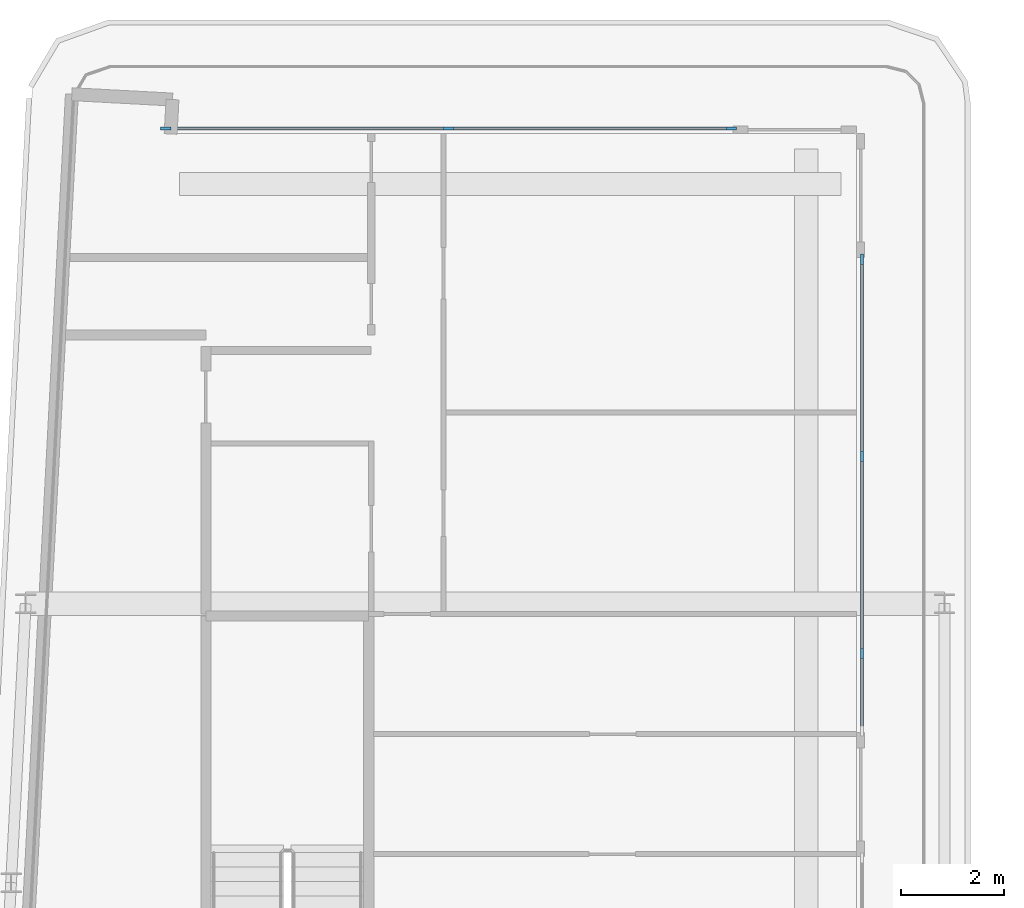
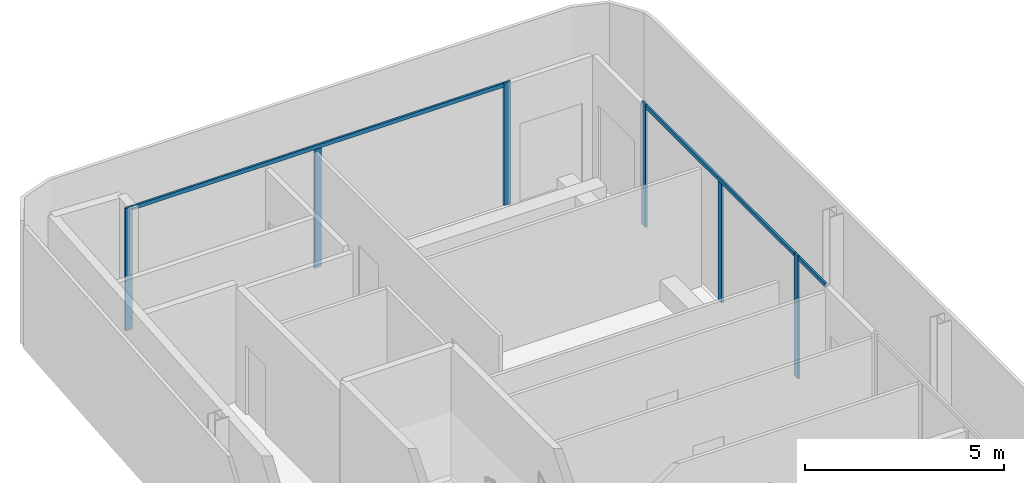
# One storey, part 8 of 21: 9 members, 3 elements without a shape of their own.
"""IFC4 building model written with IfcOpenShell, lengths in metres."""

from ifc_helpers import new_model, si_unit, direction, frame, origin, origin_2d, place, context, subcontext, project, spatial, rectangle, extrude, material, layer, layer_set, material_profile, profile_set, type_object, element, aggregate, save


model = new_model("IFC4")

# Units and contexts
model_context = context("Model", 3, precision=1e-05, world=origin(), true_north=direction((0.0, 1.0)))
body_context = subcontext(model_context, "Body", "Model", "MODEL_VIEW")
ifc_project = project(units=[si_unit("LENGTHUNIT", "METRE"), si_unit("AREAUNIT", "SQUARE_METRE"), si_unit("VOLUMEUNIT", "CUBIC_METRE"), si_unit("PLANEANGLEUNIT", "RADIAN"), si_unit("MASSUNIT", "GRAM", prefix="KILO")], contexts=[model_context])

# Site, building, storey
site_placement = place(None, origin())
site = spatial("IfcSite", under=ifc_project, at=site_placement, CompositionType="ELEMENT")
building_placement = place(site_placement, origin())
building = spatial("IfcBuilding", under=site, at=building_placement, Name="Kheshtan School and Residences Tower", CompositionType="ELEMENT")
storey_placement = place(building_placement, frame((0.0, 0.0, 302.0)))
storey = spatial("IfcBuildingStorey", under=building, at=storey_placement, Name="L71", CompositionType="ELEMENT", Elevation=302.0)

# Curtain wall, members
ifc_material_1 = material(Name="Clear low-e glass in thermally broken aluminium frame", Category="aluminium")
ifc_layer = layer(ifc_material_1, 0.199951171875)
ifc_layer_set = layer_set([ifc_layer], Name="Curtain wall CW-L")
curtain_wall_type = type_object("IfcCurtainWallType", Name="Curtain wall CW-L", PredefinedType="NOTDEFINED", material=ifc_layer_set)
curtain_wall_1_placement = place(storey_placement, origin())
curtain_wall_1 = element("IfcCurtainWall", 1, at=curtain_wall_1_placement, inside=storey, type_object=curtain_wall_type, Name="Curtain wall CWL7", PredefinedType="NOTDEFINED")
ifc_material_2 = material(Name="Thermally broken aluminium, dark bronze anodised", Category="aluminium")
ifc_material_profile_1 = material_profile(ifc_material_2, rectangle(XDim=0.06005859375, YDim=0.199951171875, at=origin_2d()), Name="CW-L mullion 60x200")
ifc_profile_set_1 = profile_set([ifc_material_profile_1], Name="Thermally broken aluminium, dark bronze anodised")
member_type_1 = type_object("IfcMemberType", Name="CW-L mullion 60x200", PredefinedType="MULLION", material=ifc_profile_set_1)
member_1_placement = place(storey_placement, frame((32.52197265625, 98.0, 0.0), z_axis=(0.0, 0.0, 1.0), x_axis=(0.0, 1.0, 0.0)))
member_1 = element("IfcMember", 2, at=member_1_placement, type_object=member_type_1, Name="CWL7 mullion 1", PredefinedType="MULLION", context=body_context, shape_type="SweptSolid", body=[
    extrude(rectangle(XDim=0.06005859375, YDim=0.199951171875, at=origin_2d()), origin(), (0.0, 0.0, 1.0), 3.75),
])
member_2_placement = place(storey_placement, frame((37.99609375, 98.0, 0.0), z_axis=(0.0, 0.0, 1.0), x_axis=(0.0, 1.0, 0.0)))
member_2 = element("IfcMember", 3, at=member_2_placement, type_object=member_type_1, Name="CWL7 mullion 2", PredefinedType="MULLION", context=body_context, shape_type="SweptSolid", body=[
    extrude(rectangle(XDim=0.06005859375, YDim=0.199951171875, at=origin_2d()), origin(), (0.0, 0.0, 1.0), 3.6298828125),
])
member_3_placement = place(storey_placement, frame((43.469970703125, 98.0, 0.0), z_axis=(0.0, 0.0, 1.0), x_axis=(0.0, 1.0, 0.0)))
member_3 = element("IfcMember", 4, at=member_3_placement, type_object=member_type_1, Name="CWL7 mullion 3", PredefinedType="MULLION", context=body_context, shape_type="SweptSolid", body=[
    extrude(rectangle(XDim=0.06005859375, YDim=0.199951171875, at=origin_2d()), origin(), (0.0, 0.0, 1.0), 3.75),
])

curtain_wall_2_placement = place(storey_placement, origin())
curtain_wall_2 = element("IfcCurtainWall", 5, at=curtain_wall_2_placement, inside=storey, type_object=curtain_wall_type, Name="Curtain wall CWL8", PredefinedType="NOTDEFINED")
member_4_placement = place(storey_placement, frame((46.0, 95.469970703125, 0.0), z_axis=(0.0, 0.0, 1.0), x_axis=(1.0, 0.0, 0.0)))
member_4 = element("IfcMember", 6, at=member_4_placement, type_object=member_type_1, Name="CWL8 mullion 1", PredefinedType="MULLION", context=body_context, shape_type="SweptSolid", body=[
    extrude(rectangle(XDim=0.06005859375, YDim=0.199951171875, at=origin_2d()), origin(), (0.0, 0.0, 1.0), 3.75),
])
member_5_placement = place(storey_placement, frame((46.0, 91.653076171875, 0.0), z_axis=(0.0, 0.0, 1.0), x_axis=(1.0, 0.0, 0.0)))
member_5 = element("IfcMember", 7, at=member_5_placement, type_object=member_type_1, Name="CWL8 mullion 2", PredefinedType="MULLION", context=body_context, shape_type="SweptSolid", body=[
    extrude(rectangle(XDim=0.06005859375, YDim=0.199951171875, at=origin_2d()), origin(), (0.0, 0.0, 1.0), 3.6298828125),
])
member_6_placement = place(storey_placement, frame((46.0, 87.8359375, 0.0), z_axis=(0.0, 0.0, 1.0), x_axis=(1.0, 0.0, 0.0)))
member_6 = element("IfcMember", 8, at=member_6_placement, type_object=member_type_1, Name="CWL8 mullion 3", PredefinedType="MULLION", context=body_context, shape_type="SweptSolid", body=[
    extrude(rectangle(XDim=0.06005859375, YDim=0.199951171875, at=origin_2d()), origin(), (0.0, 0.0, 1.0), 3.75),
])

# Member
ifc_material_profile_2 = material_profile(ifc_material_2, rectangle(XDim=0.06005859375, YDim=0.1201171875, at=origin_2d()), Name="CW-L transom 60x120")
ifc_profile_set_2 = profile_set([ifc_material_profile_2], Name="Thermally broken aluminium, dark bronze anodised")
member_type_2 = type_object("IfcMemberType", Name="CW-L transom 60x120", PredefinedType="USERDEFINED", material=ifc_profile_set_2)
member_7_placement = place(storey_placement, frame((32.552001953125, 98.0, 3.68994140625), z_axis=(1.0, 0.0, 0.0), x_axis=(0.0, 1.0, 0.0)))
member_7 = element("IfcMember", 9, at=member_7_placement, type_object=member_type_2, Name="CWL7 transom 1", ObjectType="TRANSOM", PredefinedType="USERDEFINED", context=body_context, shape_type="SweptSolid", body=[
    extrude(rectangle(XDim=0.06005859375, YDim=0.1201171875, at=origin_2d()), origin(), (0.0, 0.0, 1.0), 10.887939453125),
])

aggregate(curtain_wall_1, [member_1, member_2, member_3, member_7])

member_8_placement = place(storey_placement, frame((46.0, 95.43994140625, 3.68994140625), z_axis=(0.0, -1.0, 0.0), x_axis=(1.0, 0.0, 0.0)))
member_8 = element("IfcMember", 10, at=member_8_placement, type_object=member_type_2, Name="CWL8 transom 1", ObjectType="TRANSOM", PredefinedType="USERDEFINED", context=body_context, shape_type="SweptSolid", body=[
    extrude(rectangle(XDim=0.06005859375, YDim=0.1201171875, at=origin_2d()), origin(), (0.0, 0.0, 1.0), 7.573974609375),
])

aggregate(curtain_wall_2, [member_4, member_5, member_6, member_8])

# Curtain wall, member
curtain_wall_3_placement = place(storey_placement, origin())
curtain_wall_3 = element("IfcCurtainWall", 11, at=curtain_wall_3_placement, inside=storey, type_object=curtain_wall_type, Name="Curtain wall CWL8a", PredefinedType="NOTDEFINED")
member_9_placement = place(storey_placement, frame((46.0, 87.805908203125, 3.68994140625), z_axis=(0.0, -1.0, 0.0), x_axis=(1.0, 0.0, 0.0)))
member_9 = element("IfcMember", 12, at=member_9_placement, type_object=member_type_2, Name="CWL8a transom 1", ObjectType="TRANSOM", PredefinedType="USERDEFINED", context=body_context, shape_type="SweptSolid", body=[
    extrude(rectangle(XDim=0.06005859375, YDim=0.1201171875, at=origin_2d()), origin(), (0.0, 0.0, 1.0), 1.43994140625),
])
aggregate(curtain_wall_3, [member_9])

save(model, "model.ifc")
